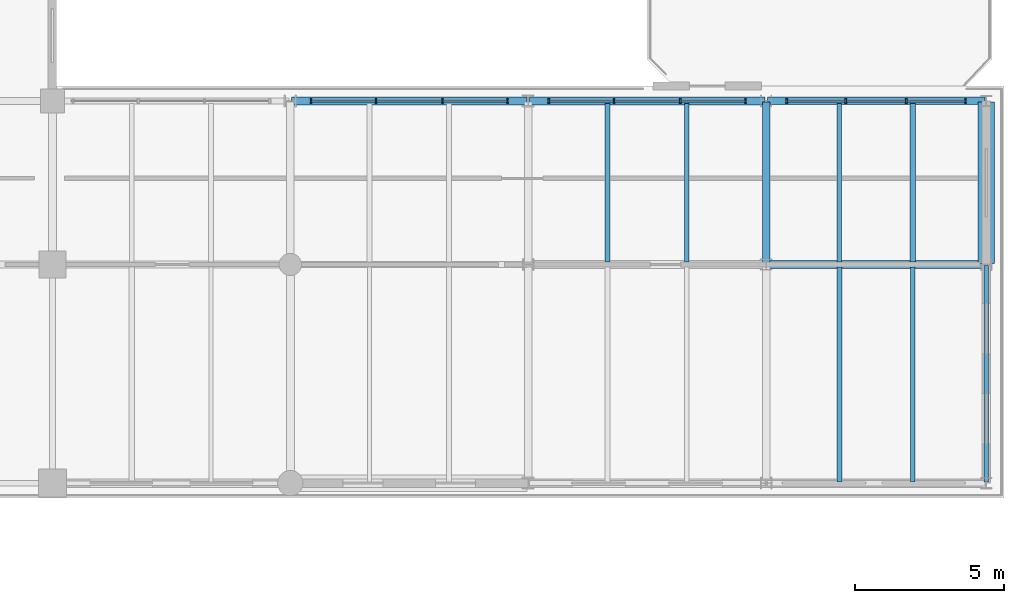
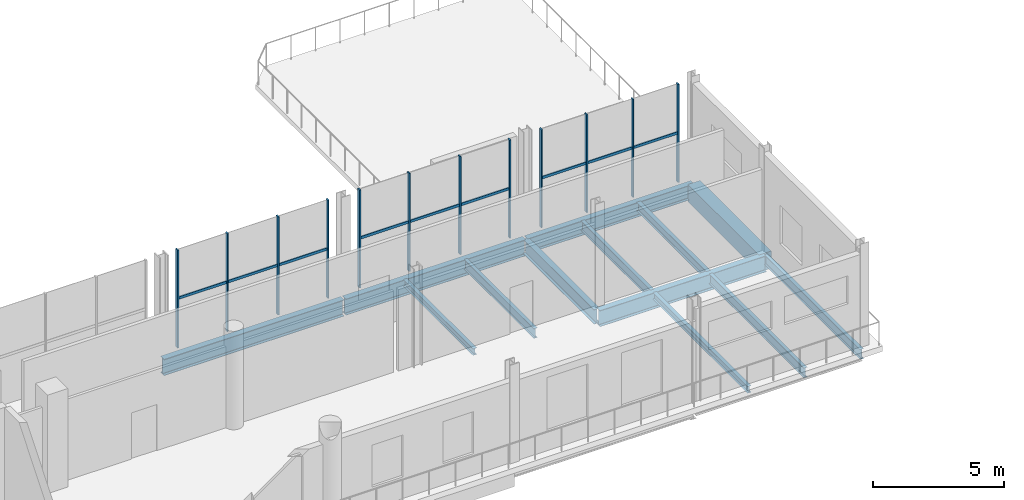
# One storey, part 27 of 51: 21 members, 13 beams, 3 elements without a shape of their own.
"""IFC4 building model written with IfcOpenShell, lengths in metres."""

from ifc_helpers import new_model, si_unit, direction, frame, origin, origin_2d, place, context, subcontext, project, spatial, rectangle, i_section, extrude, material, material_profile, profile_set, type_object, element, aggregate, save


model = new_model("IFC4")

# Units and contexts
model_context = context("Model", 3, precision=1e-05, world=origin(), true_north=direction((0.0, 1.0)))
body_context = subcontext(model_context, "Body", "Model", "MODEL_VIEW")
ifc_project = project(units=[si_unit("LENGTHUNIT", "METRE"), si_unit("AREAUNIT", "SQUARE_METRE"), si_unit("VOLUMEUNIT", "CUBIC_METRE"), si_unit("PLANEANGLEUNIT", "RADIAN"), si_unit("MASSUNIT", "GRAM", prefix="KILO")], contexts=[model_context])

# Site, building, storey
site_placement = place(None, origin())
site = spatial("IfcSite", under=ifc_project, at=site_placement, CompositionType="ELEMENT")
building_placement = place(site_placement, origin())
building = spatial("IfcBuilding", under=site, at=building_placement, Name="Brisemont Oceanarium", CompositionType="ELEMENT")
storey_placement = place(building_placement, frame((0.0, 0.0, 15.0)))
storey = spatial("IfcBuildingStorey", under=building, at=storey_placement, Name="L03", CompositionType="ELEMENT", Elevation=15.0)

# Beams
ifc_material_1 = material(Name="Concrete C40/50", Category="concrete")
ifc_material_profile_1 = material_profile(ifc_material_1, rectangle(XDim=0.550048828125, YDim=0.800048828125, at=origin_2d()), Name="RC-BM-550X800")
ifc_profile_set_1 = profile_set([ifc_material_profile_1], Name="Concrete C40/50")
beam_type_1 = type_object("IfcBeamType", Name="BM-RC550X800", PredefinedType="SPANDREL", material=ifc_profile_set_1)
beam_1_placement = place(storey_placement, frame((159.39990234375, 88.0400390625, -0.659912109375), z_axis=(0.0, 1.0, 0.0), x_axis=(-1.0, 0.0, 0.0)))
element("IfcBeam", 1, at=beam_1_placement, inside=storey, type_object=beam_type_1, Name="V6 L03 NS girder", PredefinedType="SPANDREL", context=body_context, shape_type="SweptSolid", body=[
    extrude(rectangle(XDim=0.550048828125, YDim=0.800048828125, at=origin_2d()), origin(), (0.0, 0.0, 1.0), 5.419921875),
])
ifc_material_2 = material(Name="Structural Steel ASTM A992 Gr.50", Category="steel")
ifc_material_profile_2 = material_profile(ifc_material_2, i_section(OverallWidth=0.1650390625, OverallDepth=0.31005859375, WebThickness=0.005859375, FlangeThickness=0.009765625, FilletRadius=0.008056640625, at=origin_2d()), Name="W12X26")
ifc_profile_set_2 = profile_set([ifc_material_profile_2], Name="Structural Steel ASTM A992 Gr.50")
beam_type_2 = type_object("IfcBeamType", Name="BM-W12X26", PredefinedType="JOIST", material=ifc_profile_set_2)
beam_2_placement = place(storey_placement, frame((146.666748046875, 88.090087890625, -0.4150390625), z_axis=(0.0, 1.0, 0.0), x_axis=(-1.0, 0.0, 0.0)))
element("IfcBeam", 2, at=beam_2_placement, inside=storey, type_object=beam_type_2, Name="V6 L03 secondary floor beam", PredefinedType="JOIST", context=body_context, shape_type="SweptSolid", body=[
    extrude(i_section(OverallWidth=0.1650390625, OverallDepth=0.31005859375, WebThickness=0.005859375, FlangeThickness=0.009765625, FilletRadius=0.008056640625, at=origin_2d()), origin(), (0.0, 0.0, 1.0), 5.31982421875),
])
beam_3_placement = place(storey_placement, frame((154.466796875, 80.68994140625, -0.4150390625), z_axis=(0.0, 1.0, 0.0), x_axis=(-1.0, 0.0, 0.0)))
element("IfcBeam", 3, at=beam_3_placement, inside=storey, type_object=beam_type_2, Name="V6 L03 secondary floor beam", PredefinedType="JOIST", context=body_context, shape_type="SweptSolid", body=[
    extrude(i_section(OverallWidth=0.1650390625, OverallDepth=0.31005859375, WebThickness=0.005859375, FlangeThickness=0.009765625, FilletRadius=0.008056640625, at=origin_2d()), origin(), (0.0, 0.0, 1.0), 7.219970703125),
])
ifc_material_3 = material(Name="Structural Steel ASTM A992 Gr.50", Category="steel")
ifc_material_profile_3 = material_profile(ifc_material_3, i_section(OverallWidth=0.177978515625, OverallDepth=0.404052734375, WebThickness=0.007568359375, FlangeThickness=0.010986328125, FilletRadius=0.010009765625, at=origin_2d()), Name="W16X36")
ifc_profile_set_3 = profile_set([ifc_material_profile_3], Name="Structural Steel ASTM A992 Gr.50")
beam_type_3 = type_object("IfcBeamType", Name="BM-W16X36", PredefinedType="JOIST", material=ifc_profile_set_3)
beam_4_placement = place(storey_placement, frame((156.933349609375, 88.090087890625, -0.4619140625), z_axis=(0.0, 1.0, 0.0), x_axis=(-1.0, 0.0, 0.0)))
element("IfcBeam", 4, at=beam_4_placement, inside=storey, type_object=beam_type_3, Name="V6 L03 secondary floor beam", PredefinedType="JOIST", context=body_context, shape_type="SweptSolid", body=[
    extrude(i_section(OverallWidth=0.177978515625, OverallDepth=0.404052734375, WebThickness=0.007568359375, FlangeThickness=0.010986328125, FilletRadius=0.010009765625, at=origin_2d()), origin(), (0.0, 0.0, 1.0), 5.31982421875),
])
ifc_material_4 = material(Name="Structural Steel ASTM A992 Gr.50", Category="steel")
ifc_material_profile_4 = material_profile(ifc_material_4, i_section(OverallWidth=0.153076171875, OverallDepth=0.455078125, WebThickness=0.008056640625, FlangeThickness=0.01318359375, FilletRadius=0.010986328125, at=origin_2d()), Name="W18X40")
ifc_profile_set_4 = profile_set([ifc_material_profile_4], Name="Structural Steel ASTM A992 Gr.50")
beam_type_4 = type_object("IfcBeamType", Name="BM-W18X40", PredefinedType="JOIST", material=ifc_profile_set_4)
beam_5_placement = place(storey_placement, frame((149.333251953125, 88.090087890625, -0.487548828125), z_axis=(0.0, 1.0, 0.0), x_axis=(-1.0, 0.0, 0.0)))
element("IfcBeam", 5, at=beam_5_placement, inside=storey, type_object=beam_type_4, Name="V6 L03 secondary floor beam", PredefinedType="JOIST", context=body_context, shape_type="SweptSolid", body=[
    extrude(i_section(OverallWidth=0.153076171875, OverallDepth=0.455078125, WebThickness=0.008056640625, FlangeThickness=0.01318359375, FilletRadius=0.010986328125, at=origin_2d()), origin(), (0.0, 0.0, 1.0), 5.31982421875),
])
beam_6_placement = place(storey_placement, frame((156.933349609375, 80.68994140625, -0.487548828125), z_axis=(0.0, 1.0, 0.0), x_axis=(-1.0, 0.0, 0.0)))
element("IfcBeam", 6, at=beam_6_placement, inside=storey, type_object=beam_type_4, Name="V6 L03 secondary floor beam", PredefinedType="JOIST", context=body_context, shape_type="SweptSolid", body=[
    extrude(i_section(OverallWidth=0.153076171875, OverallDepth=0.455078125, WebThickness=0.008056640625, FlangeThickness=0.01318359375, FilletRadius=0.010986328125, at=origin_2d()), origin(), (0.0, 0.0, 1.0), 7.219970703125),
])
beam_7_placement = place(storey_placement, frame((154.466796875, 88.090087890625, -0.487548828125), z_axis=(0.0, 1.0, 0.0), x_axis=(-1.0, 0.0, 0.0)))
element("IfcBeam", 7, at=beam_7_placement, inside=storey, type_object=beam_type_4, Name="V6 L03 secondary floor beam", PredefinedType="JOIST", context=body_context, shape_type="SweptSolid", body=[
    extrude(i_section(OverallWidth=0.153076171875, OverallDepth=0.455078125, WebThickness=0.008056640625, FlangeThickness=0.01318359375, FilletRadius=0.010986328125, at=origin_2d()), origin(), (0.0, 0.0, 1.0), 5.31982421875),
])
ifc_material_5 = material(Name="Structural Steel ASTM A992 Gr.50", Category="steel")
ifc_material_profile_5 = material_profile(ifc_material_5, i_section(OverallWidth=0.154052734375, OverallDepth=0.458984375, WebThickness=0.009033203125, FlangeThickness=0.015380859375, FilletRadius=0.010986328125, at=origin_2d()), Name="W18X46")
ifc_profile_set_5 = profile_set([ifc_material_profile_5], Name="Structural Steel ASTM A992 Gr.50")
beam_type_5 = type_object("IfcBeamType", Name="BM-W18X46", PredefinedType="SPANDREL", material=ifc_profile_set_5)
beam_8_placement = place(storey_placement, frame((159.39990234375, 80.68994140625, -0.489501953125), z_axis=(0.0, 1.0, 0.0), x_axis=(-1.0, 0.0, 0.0)))
element("IfcBeam", 8, at=beam_8_placement, inside=storey, type_object=beam_type_5, Name="V6 L03 NS girder", PredefinedType="SPANDREL", context=body_context, shape_type="SweptSolid", body=[
    extrude(i_section(OverallWidth=0.154052734375, OverallDepth=0.458984375, WebThickness=0.009033203125, FlangeThickness=0.015380859375, FilletRadius=0.010986328125, at=origin_2d()), origin(), (0.0, 0.0, 1.0), 7.27001953125),
])
ifc_material_6 = material(Name="Structural Steel ASTM A992 Gr.50", Category="steel")
ifc_material_profile_6 = material_profile(ifc_material_6, i_section(OverallWidth=0.2529296875, OverallDepth=0.677978515625, WebThickness=0.01171875, FlangeThickness=0.016357421875, FilletRadius=0.014892578125, at=origin_2d()), Name="W27X84")
ifc_profile_set_6 = profile_set([ifc_material_profile_6], Name="Structural Steel ASTM A992 Gr.50")
beam_type_6 = type_object("IfcBeamType", Name="BM-W27X84", PredefinedType="BEAM", material=ifc_profile_set_6)
beam_9_placement = place(storey_placement, frame((152.0, 88.0400390625, -0.59912109375), z_axis=(0.0, 1.0, 0.0), x_axis=(-1.0, 0.0, 0.0)))
element("IfcBeam", 9, at=beam_9_placement, inside=storey, type_object=beam_type_6, Name="V6 L03 NS girder", PredefinedType="BEAM", context=body_context, shape_type="SweptSolid", body=[
    extrude(i_section(OverallWidth=0.2529296875, OverallDepth=0.677978515625, WebThickness=0.01171875, FlangeThickness=0.016357421875, FilletRadius=0.014892578125, at=origin_2d()), origin(), (0.0, 0.0, 1.0), 5.419921875),
])
ifc_material_7 = material(Name="Structural Steel ASTM A992 Gr.50", Category="steel")
ifc_material_profile_7 = material_profile(ifc_material_7, i_section(OverallWidth=0.25390625, OverallDepth=0.68310546875, WebThickness=0.012451171875, FlangeThickness=0.018798828125, FilletRadius=0.014892578125, at=origin_2d()), Name="W27X94")
ifc_profile_set_7 = profile_set([ifc_material_profile_7], Name="Structural Steel ASTM A992 Gr.50")
beam_type_7 = type_object("IfcBeamType", Name="BM-W27X94", PredefinedType="BEAM", material=ifc_profile_set_7)
beam_10_placement = place(storey_placement, frame((152.0400390625, 93.5, -0.6015625), z_axis=(1.0, 0.0, 0.0), x_axis=(0.0, 1.0, 0.0)))
element("IfcBeam", 10, at=beam_10_placement, inside=storey, type_object=beam_type_7, Name="V6 L03 EW girder", PredefinedType="BEAM", context=body_context, shape_type="SweptSolid", body=[
    extrude(i_section(OverallWidth=0.25390625, OverallDepth=0.68310546875, WebThickness=0.012451171875, FlangeThickness=0.018798828125, FilletRadius=0.014892578125, at=origin_2d()), origin(), (0.0, 0.0, 1.0), 7.320068359375),
])
ifc_material_8 = material(Name="Structural Steel ASTM A992 Gr.50", Category="steel")
ifc_material_profile_8 = material_profile(ifc_material_8, i_section(OverallWidth=0.26708984375, OverallDepth=0.761962890625, WebThickness=0.014404296875, FlangeThickness=0.021484375, FilletRadius=0.01611328125, at=origin_2d()), Name="W30X116")
ifc_profile_set_8 = profile_set([ifc_material_profile_8], Name="Structural Steel ASTM A992 Gr.50")
beam_type_8 = type_object("IfcBeamType", Name="BM-W30X116", PredefinedType="BEAM", material=ifc_profile_set_8)
beam_11_placement = place(storey_placement, frame((136.0400390625, 93.5, -0.64111328125), z_axis=(1.0, 0.0, 0.0), x_axis=(0.0, 1.0, 0.0)))
element("IfcBeam", 11, at=beam_11_placement, inside=storey, type_object=beam_type_8, Name="V6 L03 EW girder", PredefinedType="BEAM", context=body_context, shape_type="SweptSolid", body=[
    extrude(i_section(OverallWidth=0.26708984375, OverallDepth=0.761962890625, WebThickness=0.014404296875, FlangeThickness=0.021484375, FilletRadius=0.01611328125, at=origin_2d()), origin(), (0.0, 0.0, 1.0), 7.919921875),
])
ifc_material_9 = material(Name="Structural Steel ASTM A992 Gr.50", Category="steel")
ifc_material_profile_9 = material_profile(ifc_material_9, i_section(OverallWidth=0.264892578125, OverallDepth=0.7529296875, WebThickness=0.01318359375, FlangeThickness=0.01708984375, FilletRadius=0.01611328125, at=origin_2d()), Name="W30X99")
ifc_profile_set_9 = profile_set([ifc_material_profile_9], Name="Structural Steel ASTM A992 Gr.50")
beam_type_9 = type_object("IfcBeamType", Name="BM-W30X99", PredefinedType="BEAM", material=ifc_profile_set_9)
beam_12_placement = place(storey_placement, frame((152.0400390625, 88.0, -0.636474609375), z_axis=(1.0, 0.0, 0.0), x_axis=(0.0, 1.0, 0.0)))
element("IfcBeam", 12, at=beam_12_placement, inside=storey, type_object=beam_type_9, Name="V6 L03 EW girder", PredefinedType="BEAM", context=body_context, shape_type="SweptSolid", body=[
    extrude(i_section(OverallWidth=0.264892578125, OverallDepth=0.7529296875, WebThickness=0.01318359375, FlangeThickness=0.01708984375, FilletRadius=0.01611328125, at=origin_2d()), origin(), (0.0, 0.0, 1.0), 7.320068359375),
])
beam_13_placement = place(storey_placement, frame((144.0400390625, 93.5, -0.636474609375), z_axis=(1.0, 0.0, 0.0), x_axis=(0.0, 1.0, 0.0)))
element("IfcBeam", 13, at=beam_13_placement, inside=storey, type_object=beam_type_9, Name="V6 L03 EW girder", PredefinedType="BEAM", context=body_context, shape_type="SweptSolid", body=[
    extrude(i_section(OverallWidth=0.264892578125, OverallDepth=0.7529296875, WebThickness=0.01318359375, FlangeThickness=0.01708984375, FilletRadius=0.01611328125, at=origin_2d()), origin(), (0.0, 0.0, 1.0), 7.919921875),
])

# Curtain wall, members
ifc_material_10 = material(Name="Anodized Extruded Aluminum 6063-T6", Category="aluminium")
curtain_wall_type = type_object("IfcCurtainWallType", Name="CW-RES-61X43", PredefinedType="NOTDEFINED", material=ifc_material_10)
curtain_wall_1_placement = place(storey_placement, origin())
curtain_wall_1 = element("IfcCurtainWall", 14, at=curtain_wall_1_placement, inside=storey, type_object=curtain_wall_type, Name="CW-17 curtain wall CW-V6-N-L03-02", PredefinedType="NOTDEFINED")
ifc_material_11 = material(Name="Anodized Extruded Aluminum 6063-T6", Category="aluminium")
ifc_material_profile_10 = material_profile(ifc_material_11, rectangle(XDim=0.06005859375, YDim=0.14990234375, at=origin_2d()), Name="CWM-60X150")
ifc_profile_set_10 = profile_set([ifc_material_profile_10], Name="Anodized Extruded Aluminum 6063-T6")
member_type_1 = type_object("IfcMemberType", Name="MEM-CWM-60", PredefinedType="MULLION", material=ifc_profile_set_10)
member_1_placement = place(storey_placement, frame((136.695068359375, 93.5, 0.0), z_axis=(0.0, 0.0, 1.0), x_axis=(1.0, 0.0, 0.0)))
member_1 = element("IfcMember", 15, at=member_1_placement, type_object=member_type_1, Name="CW-V6-N-L03-02 mullion 1", PredefinedType="MULLION", context=body_context, shape_type="SweptSolid", body=[
    extrude(rectangle(XDim=0.06005859375, YDim=0.14990234375, at=origin_2d()), origin(), (0.0, 0.0, 1.0), 4.56005859375),
])
member_2_placement = place(storey_placement, frame((138.88330078125, 93.5, 0.0), z_axis=(0.0, 0.0, 1.0), x_axis=(1.0, 0.0, 0.0)))
member_2 = element("IfcMember", 16, at=member_2_placement, type_object=member_type_1, Name="CW-V6-N-L03-02 mullion 2", PredefinedType="MULLION", context=body_context, shape_type="SweptSolid", body=[
    extrude(rectangle(XDim=0.06005859375, YDim=0.14990234375, at=origin_2d()), origin(), (0.0, 0.0, 1.0), 4.56005859375),
])
member_3_placement = place(storey_placement, frame((141.11669921875, 93.5, 0.0), z_axis=(0.0, 0.0, 1.0), x_axis=(1.0, 0.0, 0.0)))
member_3 = element("IfcMember", 17, at=member_3_placement, type_object=member_type_1, Name="CW-V6-N-L03-02 mullion 3", PredefinedType="MULLION", context=body_context, shape_type="SweptSolid", body=[
    extrude(rectangle(XDim=0.06005859375, YDim=0.14990234375, at=origin_2d()), origin(), (0.0, 0.0, 1.0), 4.56005859375),
])
member_4_placement = place(storey_placement, frame((143.304931640625, 93.5, 0.0), z_axis=(0.0, 0.0, 1.0), x_axis=(1.0, 0.0, 0.0)))
member_4 = element("IfcMember", 18, at=member_4_placement, type_object=member_type_1, Name="CW-V6-N-L03-02 mullion 4", PredefinedType="MULLION", context=body_context, shape_type="SweptSolid", body=[
    extrude(rectangle(XDim=0.06005859375, YDim=0.14990234375, at=origin_2d()), origin(), (0.0, 0.0, 1.0), 4.56005859375),
])

curtain_wall_2_placement = place(storey_placement, origin())
curtain_wall_2 = element("IfcCurtainWall", 19, at=curtain_wall_2_placement, inside=storey, type_object=curtain_wall_type, Name="CW-17 curtain wall CW-V6-N-L03-03", PredefinedType="NOTDEFINED")
member_5_placement = place(storey_placement, frame((144.695068359375, 93.5, 0.0), z_axis=(0.0, 0.0, 1.0), x_axis=(1.0, 0.0, 0.0)))
member_5 = element("IfcMember", 20, at=member_5_placement, type_object=member_type_1, Name="CW-V6-N-L03-03 mullion 1", PredefinedType="MULLION", context=body_context, shape_type="SweptSolid", body=[
    extrude(rectangle(XDim=0.06005859375, YDim=0.14990234375, at=origin_2d()), origin(), (0.0, 0.0, 1.0), 4.56005859375),
])
member_6_placement = place(storey_placement, frame((146.88330078125, 93.5, 0.0), z_axis=(0.0, 0.0, 1.0), x_axis=(1.0, 0.0, 0.0)))
member_6 = element("IfcMember", 21, at=member_6_placement, type_object=member_type_1, Name="CW-V6-N-L03-03 mullion 2", PredefinedType="MULLION", context=body_context, shape_type="SweptSolid", body=[
    extrude(rectangle(XDim=0.06005859375, YDim=0.14990234375, at=origin_2d()), origin(), (0.0, 0.0, 1.0), 4.56005859375),
])
member_7_placement = place(storey_placement, frame((149.11669921875, 93.5, 0.0), z_axis=(0.0, 0.0, 1.0), x_axis=(1.0, 0.0, 0.0)))
member_7 = element("IfcMember", 22, at=member_7_placement, type_object=member_type_1, Name="CW-V6-N-L03-03 mullion 3", PredefinedType="MULLION", context=body_context, shape_type="SweptSolid", body=[
    extrude(rectangle(XDim=0.06005859375, YDim=0.14990234375, at=origin_2d()), origin(), (0.0, 0.0, 1.0), 4.56005859375),
])
member_8_placement = place(storey_placement, frame((151.304931640625, 93.5, 0.0), z_axis=(0.0, 0.0, 1.0), x_axis=(1.0, 0.0, 0.0)))
member_8 = element("IfcMember", 23, at=member_8_placement, type_object=member_type_1, Name="CW-V6-N-L03-03 mullion 4", PredefinedType="MULLION", context=body_context, shape_type="SweptSolid", body=[
    extrude(rectangle(XDim=0.06005859375, YDim=0.14990234375, at=origin_2d()), origin(), (0.0, 0.0, 1.0), 4.56005859375),
])

curtain_wall_3_placement = place(storey_placement, origin())
curtain_wall_3 = element("IfcCurtainWall", 24, at=curtain_wall_3_placement, inside=storey, type_object=curtain_wall_type, Name="CW-17 curtain wall CW-V6-N-L03-04", PredefinedType="NOTDEFINED")
member_9_placement = place(storey_placement, frame((152.695068359375, 93.5, 0.0), z_axis=(0.0, 0.0, 1.0), x_axis=(1.0, 0.0, 0.0)))
member_9 = element("IfcMember", 25, at=member_9_placement, type_object=member_type_1, Name="CW-V6-N-L03-04 mullion 1", PredefinedType="MULLION", context=body_context, shape_type="SweptSolid", body=[
    extrude(rectangle(XDim=0.06005859375, YDim=0.14990234375, at=origin_2d()), origin(), (0.0, 0.0, 1.0), 4.56005859375),
])
member_10_placement = place(storey_placement, frame((154.683349609375, 93.5, 0.0), z_axis=(0.0, 0.0, 1.0), x_axis=(1.0, 0.0, 0.0)))
member_10 = element("IfcMember", 26, at=member_10_placement, type_object=member_type_1, Name="CW-V6-N-L03-04 mullion 2", PredefinedType="MULLION", context=body_context, shape_type="SweptSolid", body=[
    extrude(rectangle(XDim=0.06005859375, YDim=0.14990234375, at=origin_2d()), origin(), (0.0, 0.0, 1.0), 4.56005859375),
])
member_11_placement = place(storey_placement, frame((156.716796875, 93.5, 0.0), z_axis=(0.0, 0.0, 1.0), x_axis=(1.0, 0.0, 0.0)))
member_11 = element("IfcMember", 27, at=member_11_placement, type_object=member_type_1, Name="CW-V6-N-L03-04 mullion 3", PredefinedType="MULLION", context=body_context, shape_type="SweptSolid", body=[
    extrude(rectangle(XDim=0.06005859375, YDim=0.14990234375, at=origin_2d()), origin(), (0.0, 0.0, 1.0), 4.56005859375),
])
member_12_placement = place(storey_placement, frame((158.705078125, 93.5, 0.0), z_axis=(0.0, 0.0, 1.0), x_axis=(1.0, 0.0, 0.0)))
member_12 = element("IfcMember", 28, at=member_12_placement, type_object=member_type_1, Name="CW-V6-N-L03-04 mullion 4", PredefinedType="MULLION", context=body_context, shape_type="SweptSolid", body=[
    extrude(rectangle(XDim=0.06005859375, YDim=0.14990234375, at=origin_2d()), origin(), (0.0, 0.0, 1.0), 4.56005859375),
])

# Member
ifc_material_12 = material(Name="Anodized Extruded Aluminum 6063-T6", Category="aluminium")
ifc_material_profile_11 = material_profile(ifc_material_12, rectangle(XDim=0.06005859375, YDim=0.1201171875, at=origin_2d()), Name="CWT-60X120")
ifc_profile_set_11 = profile_set([ifc_material_profile_11], Name="Anodized Extruded Aluminum 6063-T6")
member_type_2 = type_object("IfcMemberType", Name="MEM-CWT-60", PredefinedType="USERDEFINED", material=ifc_profile_set_11)
member_13_placement = place(storey_placement, frame((136.6650390625, 93.5, 2.280029296875), z_axis=(1.0, 0.0, 0.0), x_axis=(0.0, 1.0, 0.0)))
member_13 = element("IfcMember", 29, at=member_13_placement, type_object=member_type_2, Name="CW-V6-N-L03-02 transom 1.1", ObjectType="TRANSOM", PredefinedType="USERDEFINED", context=body_context, shape_type="SweptSolid", body=[
    extrude(rectangle(XDim=0.06005859375, YDim=0.1201171875, at=origin_2d()), origin(), (0.0, 0.0, 1.0), 2.203369140625),
])

member_14_placement = place(storey_placement, frame((138.898193359375, 93.5, 2.280029296875), z_axis=(1.0, 0.0, 0.0), x_axis=(0.0, 1.0, 0.0)))
member_14 = element("IfcMember", 30, at=member_14_placement, type_object=member_type_2, Name="CW-V6-N-L03-02 transom 2.1", ObjectType="TRANSOM", PredefinedType="USERDEFINED", context=body_context, shape_type="SweptSolid", body=[
    extrude(rectangle(XDim=0.06005859375, YDim=0.1201171875, at=origin_2d()), origin(), (0.0, 0.0, 1.0), 2.20361328125),
])

member_15_placement = place(storey_placement, frame((141.131591796875, 93.5, 2.280029296875), z_axis=(1.0, 0.0, 0.0), x_axis=(0.0, 1.0, 0.0)))
member_15 = element("IfcMember", 31, at=member_15_placement, type_object=member_type_2, Name="CW-V6-N-L03-02 transom 3.1", ObjectType="TRANSOM", PredefinedType="USERDEFINED", context=body_context, shape_type="SweptSolid", body=[
    extrude(rectangle(XDim=0.06005859375, YDim=0.1201171875, at=origin_2d()), origin(), (0.0, 0.0, 1.0), 2.203369140625),
])

aggregate(curtain_wall_1, [member_1, member_2, member_3, member_4, member_13, member_14, member_15])

member_16_placement = place(storey_placement, frame((144.6650390625, 93.5, 2.280029296875), z_axis=(1.0, 0.0, 0.0), x_axis=(0.0, 1.0, 0.0)))
member_16 = element("IfcMember", 32, at=member_16_placement, type_object=member_type_2, Name="CW-V6-N-L03-03 transom 1.1", ObjectType="TRANSOM", PredefinedType="USERDEFINED", context=body_context, shape_type="SweptSolid", body=[
    extrude(rectangle(XDim=0.06005859375, YDim=0.1201171875, at=origin_2d()), origin(), (0.0, 0.0, 1.0), 2.203369140625),
])

member_17_placement = place(storey_placement, frame((146.898193359375, 93.5, 2.280029296875), z_axis=(1.0, 0.0, 0.0), x_axis=(0.0, 1.0, 0.0)))
member_17 = element("IfcMember", 33, at=member_17_placement, type_object=member_type_2, Name="CW-V6-N-L03-03 transom 2.1", ObjectType="TRANSOM", PredefinedType="USERDEFINED", context=body_context, shape_type="SweptSolid", body=[
    extrude(rectangle(XDim=0.06005859375, YDim=0.1201171875, at=origin_2d()), origin(), (0.0, 0.0, 1.0), 2.20361328125),
])

member_18_placement = place(storey_placement, frame((149.131591796875, 93.5, 2.280029296875), z_axis=(1.0, 0.0, 0.0), x_axis=(0.0, 1.0, 0.0)))
member_18 = element("IfcMember", 34, at=member_18_placement, type_object=member_type_2, Name="CW-V6-N-L03-03 transom 3.1", ObjectType="TRANSOM", PredefinedType="USERDEFINED", context=body_context, shape_type="SweptSolid", body=[
    extrude(rectangle(XDim=0.06005859375, YDim=0.1201171875, at=origin_2d()), origin(), (0.0, 0.0, 1.0), 2.203369140625),
])

aggregate(curtain_wall_2, [member_5, member_6, member_7, member_8, member_16, member_17, member_18])

member_19_placement = place(storey_placement, frame((152.6650390625, 93.5, 2.280029296875), z_axis=(1.0, 0.0, 0.0), x_axis=(0.0, 1.0, 0.0)))
member_19 = element("IfcMember", 35, at=member_19_placement, type_object=member_type_2, Name="CW-V6-N-L03-04 transom 1.1", ObjectType="TRANSOM", PredefinedType="USERDEFINED", context=body_context, shape_type="SweptSolid", body=[
    extrude(rectangle(XDim=0.06005859375, YDim=0.1201171875, at=origin_2d()), origin(), (0.0, 0.0, 1.0), 2.003173828125),
])

member_20_placement = place(storey_placement, frame((154.6982421875, 93.5, 2.280029296875), z_axis=(1.0, 0.0, 0.0), x_axis=(0.0, 1.0, 0.0)))
member_20 = element("IfcMember", 36, at=member_20_placement, type_object=member_type_2, Name="CW-V6-N-L03-04 transom 2.1", ObjectType="TRANSOM", PredefinedType="USERDEFINED", context=body_context, shape_type="SweptSolid", body=[
    extrude(rectangle(XDim=0.06005859375, YDim=0.1201171875, at=origin_2d()), origin(), (0.0, 0.0, 1.0), 2.00341796875),
])

member_21_placement = place(storey_placement, frame((156.731689453125, 93.5, 2.280029296875), z_axis=(1.0, 0.0, 0.0), x_axis=(0.0, 1.0, 0.0)))
member_21 = element("IfcMember", 37, at=member_21_placement, type_object=member_type_2, Name="CW-V6-N-L03-04 transom 3.1", ObjectType="TRANSOM", PredefinedType="USERDEFINED", context=body_context, shape_type="SweptSolid", body=[
    extrude(rectangle(XDim=0.06005859375, YDim=0.1201171875, at=origin_2d()), origin(), (0.0, 0.0, 1.0), 2.00341796875),
])

aggregate(curtain_wall_3, [member_9, member_10, member_11, member_12, member_19, member_20, member_21])

save(model, "model.ifc")
